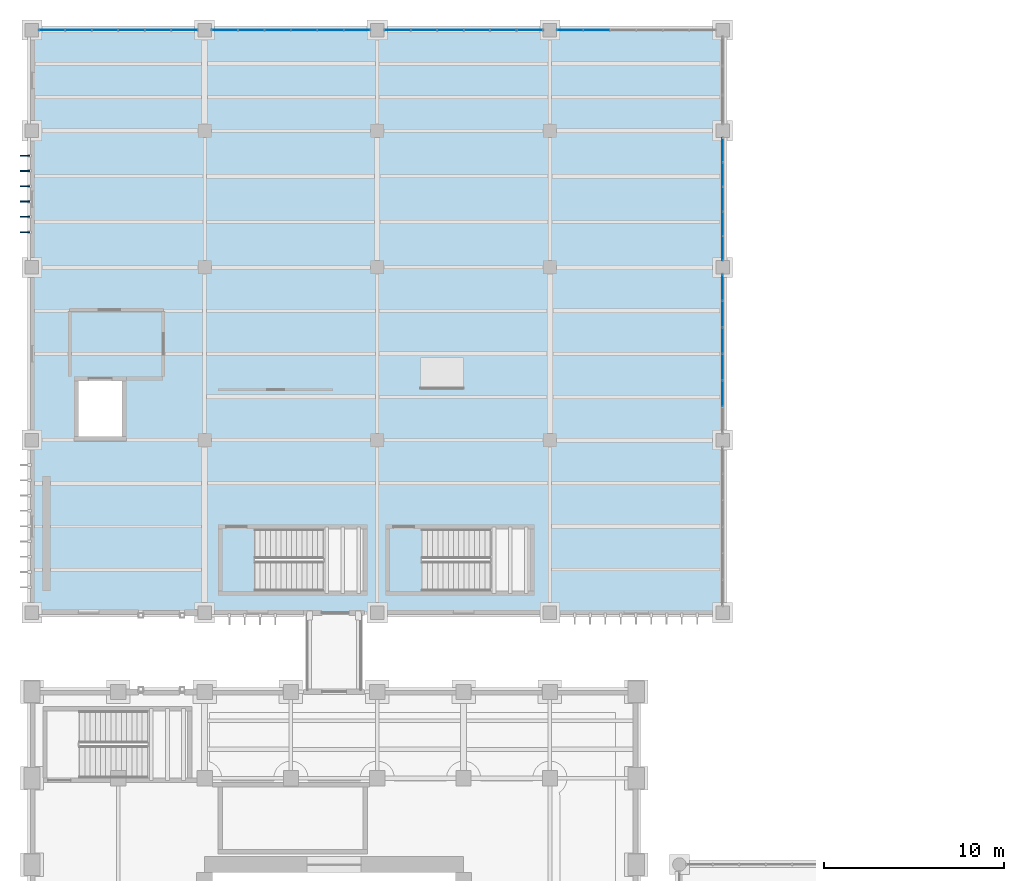
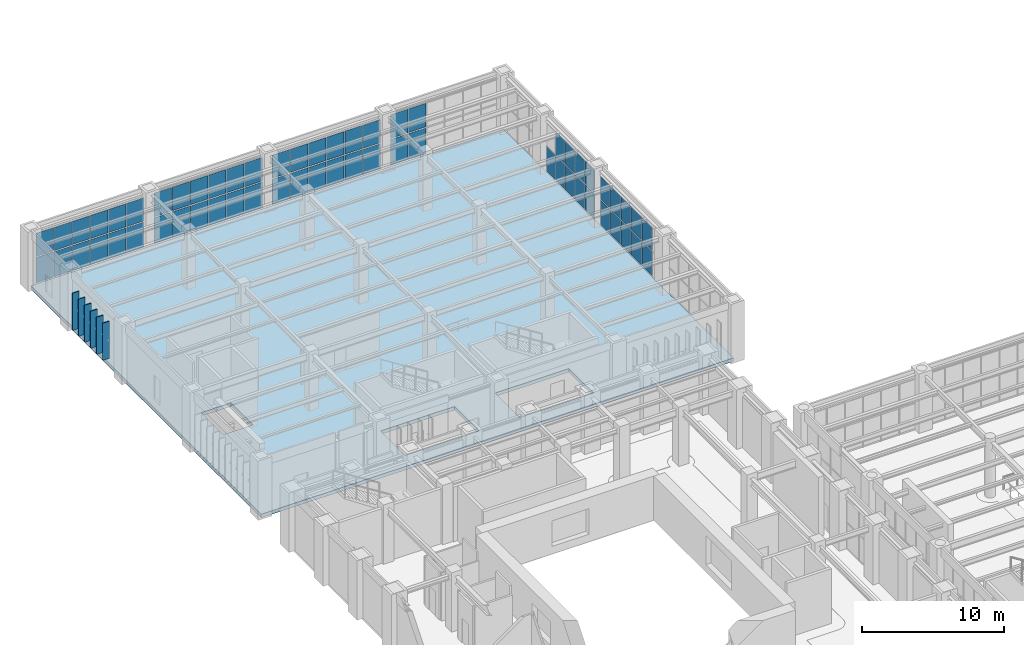
# One storey, part 132 of 174: 65 plates, 1 slab, 6 elements without a shape of their own.
"""IFC4 building model written with IfcOpenShell, lengths in metres."""

from ifc_helpers import new_model, si_unit, direction, frame, origin, origin_2d, place, context, subcontext, project, spatial, polyline, rectangle, outline, extrude, material, layer, layer_set, type_object, element, aggregate, save


model = new_model("IFC4")

# Units and contexts
model_context = context("Model", 3, precision=1e-05, world=origin(), true_north=direction((0.0, 1.0)))
body_context = subcontext(model_context, "Body", "Model", "MODEL_VIEW")
ifc_project = project(units=[si_unit("LENGTHUNIT", "METRE"), si_unit("AREAUNIT", "SQUARE_METRE"), si_unit("VOLUMEUNIT", "CUBIC_METRE"), si_unit("PLANEANGLEUNIT", "RADIAN"), si_unit("MASSUNIT", "GRAM", prefix="KILO")], contexts=[model_context])

# Site, building, storey
site_placement = place(None, origin())
site = spatial("IfcSite", under=ifc_project, at=site_placement, CompositionType="ELEMENT")
building_placement = place(site_placement, origin())
building = spatial("IfcBuilding", under=site, at=building_placement, Name="Mavantir Sound Aquarium", CompositionType="ELEMENT")
storey_placement = place(building_placement, frame((0.0, 0.0, 5.39990234375)))
storey = spatial("IfcBuildingStorey", under=building, at=storey_placement, Name="L01", CompositionType="ELEMENT", Elevation=5.39990234375)

# Curtain wall, plates
ifc_material_1 = material(Name="Anodised Marine Aluminium and Low-E Glass", Category="aluminium")
curtain_wall_type_1 = type_object("IfcCurtainWallType", Name="CW-T19", PredefinedType="USERDEFINED", material=ifc_material_1)
curtain_wall_1_placement = place(storey_placement, origin())
curtain_wall_1 = element("IfcCurtainWall", 1, at=curtain_wall_1_placement, inside=storey, type_object=curtain_wall_type_1, Name="L01 unitised curtain wall CW-19 115", ObjectType="UNITISED GLAZING", PredefinedType="USERDEFINED")
ifc_material_2 = material(Name="Solar-Control Laminated Low-E Glass", Category="glass")
ifc_layer_1 = layer(ifc_material_2, 0.028076171875, Name="Solar-Control Laminated Low-E Glass")
ifc_layer_set_1 = layer_set([ifc_layer_1], Name="Solar-Control Laminated Low-E Glass")
plate_type_1 = type_object("IfcPlateType", Name="CW-PNL-28", PredefinedType="CURTAIN_PANEL", material=ifc_layer_set_1)
plate_1_placement = place(storey_placement, frame((38.39990234375, 103.866455078125, 0.10302734375), z_axis=(0.0, 0.0, 1.0), x_axis=(0.0, 1.0, 0.0)))
plate_1 = element("IfcPlate", 2, at=plate_1_placement, type_object=plate_type_1, Name="CW-L01-115 glazed curtain panel 1.1", PredefinedType="CURTAIN_PANEL", context=body_context, shape_type="SweptSolid", body=[
    extrude(rectangle(XDim=1.31884765625, YDim=0.028076171875, at=origin_2d()), origin(), (0.0, 0.0, 1.0), 2.10009765625),
])
plate_2_placement = place(storey_placement, frame((38.39990234375, 103.866455078125, 2.29931640625), z_axis=(0.0, 0.0, 1.0), x_axis=(0.0, 1.0, 0.0)))
plate_2 = element("IfcPlate", 3, at=plate_2_placement, type_object=plate_type_1, Name="CW-L01-115 glazed curtain panel 1.2", PredefinedType="CURTAIN_PANEL", context=body_context, shape_type="SweptSolid", body=[
    extrude(rectangle(XDim=1.31884765625, YDim=0.028076171875, at=origin_2d()), origin(), (0.0, 0.0, 1.0), 1.927001953125),
])
plate_3_placement = place(storey_placement, frame((38.39990234375, 105.233154296875, 0.10302734375), z_axis=(0.0, 0.0, 1.0), x_axis=(0.0, 1.0, 0.0)))
plate_3 = element("IfcPlate", 4, at=plate_3_placement, type_object=plate_type_1, Name="CW-L01-115 glazed curtain panel 2.1", PredefinedType="CURTAIN_PANEL", context=body_context, shape_type="SweptSolid", body=[
    extrude(rectangle(XDim=1.31884765625, YDim=0.028076171875, at=origin_2d()), origin(), (0.0, 0.0, 1.0), 2.10009765625),
])
plate_4_placement = place(storey_placement, frame((38.39990234375, 105.233154296875, 2.29931640625), z_axis=(0.0, 0.0, 1.0), x_axis=(0.0, 1.0, 0.0)))
plate_4 = element("IfcPlate", 5, at=plate_4_placement, type_object=plate_type_1, Name="CW-L01-115 glazed curtain panel 2.2", PredefinedType="CURTAIN_PANEL", context=body_context, shape_type="SweptSolid", body=[
    extrude(rectangle(XDim=1.31884765625, YDim=0.028076171875, at=origin_2d()), origin(), (0.0, 0.0, 1.0), 1.927001953125),
])
plate_5_placement = place(storey_placement, frame((38.39990234375, 106.60009765625, 0.10302734375), z_axis=(0.0, 0.0, 1.0), x_axis=(0.0, 1.0, 0.0)))
plate_5 = element("IfcPlate", 6, at=plate_5_placement, type_object=plate_type_1, Name="CW-L01-115 glazed curtain panel 3.1", PredefinedType="CURTAIN_PANEL", context=body_context, shape_type="SweptSolid", body=[
    extrude(rectangle(XDim=1.31884765625, YDim=0.028076171875, at=origin_2d()), origin(), (0.0, 0.0, 1.0), 2.10009765625),
])
plate_6_placement = place(storey_placement, frame((38.39990234375, 106.60009765625, 2.29931640625), z_axis=(0.0, 0.0, 1.0), x_axis=(0.0, 1.0, 0.0)))
plate_6 = element("IfcPlate", 7, at=plate_6_placement, type_object=plate_type_1, Name="CW-L01-115 glazed curtain panel 3.2", PredefinedType="CURTAIN_PANEL", context=body_context, shape_type="SweptSolid", body=[
    extrude(rectangle(XDim=1.31884765625, YDim=0.028076171875, at=origin_2d()), origin(), (0.0, 0.0, 1.0), 1.927001953125),
])
plate_7_placement = place(storey_placement, frame((38.39990234375, 107.966796875, 0.10302734375), z_axis=(0.0, 0.0, 1.0), x_axis=(0.0, 1.0, 0.0)))
plate_7 = element("IfcPlate", 8, at=plate_7_placement, type_object=plate_type_1, Name="CW-L01-115 glazed curtain panel 4.1", PredefinedType="CURTAIN_PANEL", context=body_context, shape_type="SweptSolid", body=[
    extrude(rectangle(XDim=1.31884765625, YDim=0.028076171875, at=origin_2d()), origin(), (0.0, 0.0, 1.0), 2.10009765625),
])
plate_8_placement = place(storey_placement, frame((38.39990234375, 107.966796875, 2.29931640625), z_axis=(0.0, 0.0, 1.0), x_axis=(0.0, 1.0, 0.0)))
plate_8 = element("IfcPlate", 9, at=plate_8_placement, type_object=plate_type_1, Name="CW-L01-115 glazed curtain panel 4.2", PredefinedType="CURTAIN_PANEL", context=body_context, shape_type="SweptSolid", body=[
    extrude(rectangle(XDim=1.31884765625, YDim=0.028076171875, at=origin_2d()), origin(), (0.0, 0.0, 1.0), 1.927001953125),
])
plate_9_placement = place(storey_placement, frame((38.39990234375, 109.33349609375, 0.10302734375), z_axis=(0.0, 0.0, 1.0), x_axis=(0.0, 1.0, 0.0)))
plate_9 = element("IfcPlate", 10, at=plate_9_placement, type_object=plate_type_1, Name="CW-L01-115 glazed curtain panel 5.1", PredefinedType="CURTAIN_PANEL", context=body_context, shape_type="SweptSolid", body=[
    extrude(rectangle(XDim=1.31884765625, YDim=0.028076171875, at=origin_2d()), origin(), (0.0, 0.0, 1.0), 2.10009765625),
])
aggregate(curtain_wall_1, [plate_1, plate_2, plate_3, plate_4, plate_5, plate_6, plate_7, plate_8, plate_9])

curtain_wall_type_2 = type_object("IfcCurtainWallType", Name="CW-T21", PredefinedType="USERDEFINED", material=ifc_material_1)
curtain_wall_2_placement = place(storey_placement, origin())
curtain_wall_2 = element("IfcCurtainWall", 11, at=curtain_wall_2_placement, inside=storey, type_object=curtain_wall_type_2, Name="L01 unitised curtain wall CW-21 117", ObjectType="UNITISED GLAZING", PredefinedType="USERDEFINED")
plate_10_placement = place(storey_placement, frame((31.3916015625, 116.0, 0.10302734375), z_axis=(0.0, 0.0, 1.0), x_axis=(-1.0, 0.0, 0.0)))
plate_10 = element("IfcPlate", 12, at=plate_10_placement, type_object=plate_type_1, Name="CW-L01-117 glazed curtain panel 5.1", PredefinedType="CURTAIN_PANEL", context=body_context, shape_type="SweptSolid", body=[
    extrude(rectangle(XDim=1.42431640625, YDim=0.028076171875, at=origin_2d()), origin(), (0.0, 0.0, 1.0), 2.21142578125),
])
plate_11_placement = place(storey_placement, frame((31.3916015625, 116.0, 2.41064453125), z_axis=(0.0, 0.0, 1.0), x_axis=(-1.0, 0.0, 0.0)))
plate_11 = element("IfcPlate", 13, at=plate_11_placement, type_object=plate_type_1, Name="CW-L01-117 glazed curtain panel 5.2", PredefinedType="CURTAIN_PANEL", context=body_context, shape_type="SweptSolid", body=[
    extrude(rectangle(XDim=1.42431640625, YDim=0.028076171875, at=origin_2d()), origin(), (0.0, 0.0, 1.0), 2.029541015625),
])
plate_12_placement = place(storey_placement, frame((29.919189453125, 116.0, 0.10302734375), z_axis=(0.0, 0.0, 1.0), x_axis=(-1.0, 0.0, 0.0)))
plate_12 = element("IfcPlate", 14, at=plate_12_placement, type_object=plate_type_1, Name="CW-L01-117 glazed curtain panel 6.1", PredefinedType="CURTAIN_PANEL", context=body_context, shape_type="SweptSolid", body=[
    extrude(rectangle(XDim=1.42431640625, YDim=0.028076171875, at=origin_2d()), origin(), (0.0, 0.0, 1.0), 2.21142578125),
])
plate_13_placement = place(storey_placement, frame((29.919189453125, 116.0, 2.41064453125), z_axis=(0.0, 0.0, 1.0), x_axis=(-1.0, 0.0, 0.0)))
plate_13 = element("IfcPlate", 15, at=plate_13_placement, type_object=plate_type_1, Name="CW-L01-117 glazed curtain panel 6.2", PredefinedType="CURTAIN_PANEL", context=body_context, shape_type="SweptSolid", body=[
    extrude(rectangle(XDim=1.42431640625, YDim=0.028076171875, at=origin_2d()), origin(), (0.0, 0.0, 1.0), 2.029541015625),
])
aggregate(curtain_wall_2, [plate_10, plate_11, plate_12, plate_13])

curtain_wall_type_3 = type_object("IfcCurtainWallType", Name="CW-T23", PredefinedType="USERDEFINED", material=ifc_material_1)
curtain_wall_3_placement = place(storey_placement, origin())
curtain_wall_3 = element("IfcCurtainWall", 16, at=curtain_wall_3_placement, inside=storey, type_object=curtain_wall_type_3, Name="L01 unitised curtain wall CW-23 119", ObjectType="UNITISED GLAZING", PredefinedType="USERDEFINED")
plate_14_placement = place(storey_placement, frame((18.080810546875, 116.0, 0.10302734375), z_axis=(0.0, 0.0, 1.0), x_axis=(-1.0, 0.0, 0.0)))
plate_14 = element("IfcPlate", 17, at=plate_14_placement, type_object=plate_type_1, Name="CW-L01-119 glazed curtain panel 1.1", PredefinedType="CURTAIN_PANEL", context=body_context, shape_type="SweptSolid", body=[
    extrude(rectangle(XDim=1.42431640625, YDim=0.028076171875, at=origin_2d()), origin(), (0.0, 0.0, 1.0), 2.21142578125),
])
plate_15_placement = place(storey_placement, frame((18.080810546875, 116.0, 2.41064453125), z_axis=(0.0, 0.0, 1.0), x_axis=(-1.0, 0.0, 0.0)))
plate_15 = element("IfcPlate", 18, at=plate_15_placement, type_object=plate_type_1, Name="CW-L01-119 glazed curtain panel 1.2", PredefinedType="CURTAIN_PANEL", context=body_context, shape_type="SweptSolid", body=[
    extrude(rectangle(XDim=1.42431640625, YDim=0.028076171875, at=origin_2d()), origin(), (0.0, 0.0, 1.0), 2.029541015625),
])
plate_16_placement = place(storey_placement, frame((16.6083984375, 116.0, 0.10302734375), z_axis=(0.0, 0.0, 1.0), x_axis=(-1.0, 0.0, 0.0)))
plate_16 = element("IfcPlate", 19, at=plate_16_placement, type_object=plate_type_1, Name="CW-L01-119 glazed curtain panel 2.1", PredefinedType="CURTAIN_PANEL", context=body_context, shape_type="SweptSolid", body=[
    extrude(rectangle(XDim=1.42431640625, YDim=0.028076171875, at=origin_2d()), origin(), (0.0, 0.0, 1.0), 2.21142578125),
])
plate_17_placement = place(storey_placement, frame((16.6083984375, 116.0, 2.41064453125), z_axis=(0.0, 0.0, 1.0), x_axis=(-1.0, 0.0, 0.0)))
plate_17 = element("IfcPlate", 20, at=plate_17_placement, type_object=plate_type_1, Name="CW-L01-119 glazed curtain panel 2.2", PredefinedType="CURTAIN_PANEL", context=body_context, shape_type="SweptSolid", body=[
    extrude(rectangle(XDim=1.42431640625, YDim=0.028076171875, at=origin_2d()), origin(), (0.0, 0.0, 1.0), 2.029541015625),
])
plate_18_placement = place(storey_placement, frame((15.13623046875, 116.0, 0.10302734375), z_axis=(0.0, 0.0, 1.0), x_axis=(-1.0, 0.0, 0.0)))
plate_18 = element("IfcPlate", 21, at=plate_18_placement, type_object=plate_type_1, Name="CW-L01-119 glazed curtain panel 3.1", PredefinedType="CURTAIN_PANEL", context=body_context, shape_type="SweptSolid", body=[
    extrude(rectangle(XDim=1.42431640625, YDim=0.028076171875, at=origin_2d()), origin(), (0.0, 0.0, 1.0), 2.21142578125),
])
plate_19_placement = place(storey_placement, frame((15.13623046875, 116.0, 2.41064453125), z_axis=(0.0, 0.0, 1.0), x_axis=(-1.0, 0.0, 0.0)))
plate_19 = element("IfcPlate", 22, at=plate_19_placement, type_object=plate_type_1, Name="CW-L01-119 glazed curtain panel 3.2", PredefinedType="CURTAIN_PANEL", context=body_context, shape_type="SweptSolid", body=[
    extrude(rectangle(XDim=1.42431640625, YDim=0.028076171875, at=origin_2d()), origin(), (0.0, 0.0, 1.0), 2.029541015625),
])
plate_20_placement = place(storey_placement, frame((13.663818359375, 116.0, 0.10302734375), z_axis=(0.0, 0.0, 1.0), x_axis=(-1.0, 0.0, 0.0)))
plate_20 = element("IfcPlate", 23, at=plate_20_placement, type_object=plate_type_1, Name="CW-L01-119 glazed curtain panel 4.1", PredefinedType="CURTAIN_PANEL", context=body_context, shape_type="SweptSolid", body=[
    extrude(rectangle(XDim=1.42431640625, YDim=0.028076171875, at=origin_2d()), origin(), (0.0, 0.0, 1.0), 2.21142578125),
])
plate_21_placement = place(storey_placement, frame((13.663818359375, 116.0, 2.41064453125), z_axis=(0.0, 0.0, 1.0), x_axis=(-1.0, 0.0, 0.0)))
plate_21 = element("IfcPlate", 24, at=plate_21_placement, type_object=plate_type_1, Name="CW-L01-119 glazed curtain panel 4.2", PredefinedType="CURTAIN_PANEL", context=body_context, shape_type="SweptSolid", body=[
    extrude(rectangle(XDim=1.42431640625, YDim=0.028076171875, at=origin_2d()), origin(), (0.0, 0.0, 1.0), 2.029541015625),
])
plate_22_placement = place(storey_placement, frame((12.19140625, 116.0, 0.10302734375), z_axis=(0.0, 0.0, 1.0), x_axis=(-1.0, 0.0, 0.0)))
plate_22 = element("IfcPlate", 25, at=plate_22_placement, type_object=plate_type_1, Name="CW-L01-119 glazed curtain panel 5.1", PredefinedType="CURTAIN_PANEL", context=body_context, shape_type="SweptSolid", body=[
    extrude(rectangle(XDim=1.42431640625, YDim=0.028076171875, at=origin_2d()), origin(), (0.0, 0.0, 1.0), 2.21142578125),
])
plate_23_placement = place(storey_placement, frame((12.19140625, 116.0, 2.41064453125), z_axis=(0.0, 0.0, 1.0), x_axis=(-1.0, 0.0, 0.0)))
plate_23 = element("IfcPlate", 26, at=plate_23_placement, type_object=plate_type_1, Name="CW-L01-119 glazed curtain panel 5.2", PredefinedType="CURTAIN_PANEL", context=body_context, shape_type="SweptSolid", body=[
    extrude(rectangle(XDim=1.42431640625, YDim=0.028076171875, at=origin_2d()), origin(), (0.0, 0.0, 1.0), 2.029541015625),
])
plate_24_placement = place(storey_placement, frame((10.71923828125, 116.0, 0.10302734375), z_axis=(0.0, 0.0, 1.0), x_axis=(-1.0, 0.0, 0.0)))
plate_24 = element("IfcPlate", 27, at=plate_24_placement, type_object=plate_type_1, Name="CW-L01-119 glazed curtain panel 6.1", PredefinedType="CURTAIN_PANEL", context=body_context, shape_type="SweptSolid", body=[
    extrude(rectangle(XDim=1.42431640625, YDim=0.028076171875, at=origin_2d()), origin(), (0.0, 0.0, 1.0), 2.21142578125),
])
plate_25_placement = place(storey_placement, frame((10.71923828125, 116.0, 2.41064453125), z_axis=(0.0, 0.0, 1.0), x_axis=(-1.0, 0.0, 0.0)))
plate_25 = element("IfcPlate", 28, at=plate_25_placement, type_object=plate_type_1, Name="CW-L01-119 glazed curtain panel 6.2", PredefinedType="CURTAIN_PANEL", context=body_context, shape_type="SweptSolid", body=[
    extrude(rectangle(XDim=1.42431640625, YDim=0.028076171875, at=origin_2d()), origin(), (0.0, 0.0, 1.0), 2.029541015625),
])
aggregate(curtain_wall_3, [plate_14, plate_15, plate_16, plate_17, plate_18, plate_19, plate_20, plate_21, plate_22, plate_23, plate_24, plate_25])

curtain_wall_type_4 = type_object("IfcCurtainWallType", Name="CW-T18", PredefinedType="USERDEFINED", material=ifc_material_1)
curtain_wall_4_placement = place(storey_placement, origin())
curtain_wall_4 = element("IfcCurtainWall", 29, at=curtain_wall_4_placement, inside=storey, type_object=curtain_wall_type_4, Name="L01 unitised curtain wall CW-18 114", ObjectType="UNITISED GLAZING", PredefinedType="USERDEFINED")
ifc_layer_2 = layer(ifc_material_2, 0.031982421875, Name="Solar-Control Laminated Low-E Glass")
ifc_layer_set_2 = layer_set([ifc_layer_2], Name="Solar-Control Laminated Low-E Glass")
plate_type_2 = type_object("IfcPlateType", Name="CW-PNL-32", PredefinedType="CURTAIN_PANEL", material=ifc_layer_set_2)
plate_26_placement = place(storey_placement, frame((38.39990234375, 95.79150390625, 0.10302734375), z_axis=(0.0, 0.0, 1.0), x_axis=(0.0, 1.0, 0.0)))
plate_26 = element("IfcPlate", 30, at=plate_26_placement, type_object=plate_type_2, Name="CW-L01-114 glazed curtain panel 2.1", PredefinedType="CURTAIN_PANEL", context=body_context, shape_type="SweptSolid", body=[
    extrude(rectangle(XDim=1.42431640625, YDim=0.031982421875, at=origin_2d()), origin(), (0.0, 0.0, 1.0), 2.10009765625),
])
plate_27_placement = place(storey_placement, frame((38.39990234375, 95.79150390625, 2.29931640625), z_axis=(0.0, 0.0, 1.0), x_axis=(0.0, 1.0, 0.0)))
plate_27 = element("IfcPlate", 31, at=plate_27_placement, type_object=plate_type_2, Name="CW-L01-114 glazed curtain panel 2.2", PredefinedType="CURTAIN_PANEL", context=body_context, shape_type="SweptSolid", body=[
    extrude(rectangle(XDim=1.42431640625, YDim=0.031982421875, at=origin_2d()), origin(), (0.0, 0.0, 1.0), 1.927001953125),
])
plate_28_placement = place(storey_placement, frame((38.39990234375, 97.263916015625, 0.10302734375), z_axis=(0.0, 0.0, 1.0), x_axis=(0.0, 1.0, 0.0)))
plate_28 = element("IfcPlate", 32, at=plate_28_placement, type_object=plate_type_2, Name="CW-L01-114 glazed curtain panel 3.1", PredefinedType="CURTAIN_PANEL", context=body_context, shape_type="SweptSolid", body=[
    extrude(rectangle(XDim=1.42431640625, YDim=0.031982421875, at=origin_2d()), origin(), (0.0, 0.0, 1.0), 2.10009765625),
])
plate_29_placement = place(storey_placement, frame((38.39990234375, 97.263916015625, 2.29931640625), z_axis=(0.0, 0.0, 1.0), x_axis=(0.0, 1.0, 0.0)))
plate_29 = element("IfcPlate", 33, at=plate_29_placement, type_object=plate_type_2, Name="CW-L01-114 glazed curtain panel 3.2", PredefinedType="CURTAIN_PANEL", context=body_context, shape_type="SweptSolid", body=[
    extrude(rectangle(XDim=1.42431640625, YDim=0.031982421875, at=origin_2d()), origin(), (0.0, 0.0, 1.0), 1.927001953125),
])
plate_30_placement = place(storey_placement, frame((38.39990234375, 98.736083984375, 0.10302734375), z_axis=(0.0, 0.0, 1.0), x_axis=(0.0, 1.0, 0.0)))
plate_30 = element("IfcPlate", 34, at=plate_30_placement, type_object=plate_type_2, Name="CW-L01-114 glazed curtain panel 4.1", PredefinedType="CURTAIN_PANEL", context=body_context, shape_type="SweptSolid", body=[
    extrude(rectangle(XDim=1.42431640625, YDim=0.031982421875, at=origin_2d()), origin(), (0.0, 0.0, 1.0), 2.10009765625),
])
plate_31_placement = place(storey_placement, frame((38.39990234375, 98.736083984375, 2.29931640625), z_axis=(0.0, 0.0, 1.0), x_axis=(0.0, 1.0, 0.0)))
plate_31 = element("IfcPlate", 35, at=plate_31_placement, type_object=plate_type_2, Name="CW-L01-114 glazed curtain panel 4.2", PredefinedType="CURTAIN_PANEL", context=body_context, shape_type="SweptSolid", body=[
    extrude(rectangle(XDim=1.42431640625, YDim=0.031982421875, at=origin_2d()), origin(), (0.0, 0.0, 1.0), 1.927001953125),
])
plate_32_placement = place(storey_placement, frame((38.39990234375, 100.20849609375, 0.10302734375), z_axis=(0.0, 0.0, 1.0), x_axis=(0.0, 1.0, 0.0)))
plate_32 = element("IfcPlate", 36, at=plate_32_placement, type_object=plate_type_2, Name="CW-L01-114 glazed curtain panel 5.1", PredefinedType="CURTAIN_PANEL", context=body_context, shape_type="SweptSolid", body=[
    extrude(rectangle(XDim=1.42431640625, YDim=0.031982421875, at=origin_2d()), origin(), (0.0, 0.0, 1.0), 2.10009765625),
])
plate_33_placement = place(storey_placement, frame((38.39990234375, 100.20849609375, 2.29931640625), z_axis=(0.0, 0.0, 1.0), x_axis=(0.0, 1.0, 0.0)))
plate_33 = element("IfcPlate", 37, at=plate_33_placement, type_object=plate_type_2, Name="CW-L01-114 glazed curtain panel 5.2", PredefinedType="CURTAIN_PANEL", context=body_context, shape_type="SweptSolid", body=[
    extrude(rectangle(XDim=1.42431640625, YDim=0.031982421875, at=origin_2d()), origin(), (0.0, 0.0, 1.0), 1.927001953125),
])
plate_34_placement = place(storey_placement, frame((38.39990234375, 101.680908203125, 0.10302734375), z_axis=(0.0, 0.0, 1.0), x_axis=(0.0, 1.0, 0.0)))
plate_34 = element("IfcPlate", 38, at=plate_34_placement, type_object=plate_type_2, Name="CW-L01-114 glazed curtain panel 6.1", PredefinedType="CURTAIN_PANEL", context=body_context, shape_type="SweptSolid", body=[
    extrude(rectangle(XDim=1.42431640625, YDim=0.031982421875, at=origin_2d()), origin(), (0.0, 0.0, 1.0), 2.10009765625),
])
plate_35_placement = place(storey_placement, frame((38.39990234375, 101.680908203125, 2.29931640625), z_axis=(0.0, 0.0, 1.0), x_axis=(0.0, 1.0, 0.0)))
plate_35 = element("IfcPlate", 39, at=plate_35_placement, type_object=plate_type_2, Name="CW-L01-114 glazed curtain panel 6.2", PredefinedType="CURTAIN_PANEL", context=body_context, shape_type="SweptSolid", body=[
    extrude(rectangle(XDim=1.42431640625, YDim=0.031982421875, at=origin_2d()), origin(), (0.0, 0.0, 1.0), 1.927001953125),
])
aggregate(curtain_wall_4, [plate_26, plate_27, plate_28, plate_29, plate_30, plate_31, plate_32, plate_33, plate_34, plate_35])

curtain_wall_type_5 = type_object("IfcCurtainWallType", Name="CW-T22", PredefinedType="USERDEFINED", material=ifc_material_1)
curtain_wall_5_placement = place(storey_placement, origin())
curtain_wall_5 = element("IfcCurtainWall", 40, at=curtain_wall_5_placement, inside=storey, type_object=curtain_wall_type_5, Name="L01 unitised curtain wall CW-22 118", ObjectType="UNITISED GLAZING", PredefinedType="USERDEFINED")
plate_36_placement = place(storey_placement, frame((27.680908203125, 116.0, 0.10302734375), z_axis=(0.0, 0.0, 1.0), x_axis=(-1.0, 0.0, 0.0)))
plate_36 = element("IfcPlate", 41, at=plate_36_placement, type_object=plate_type_2, Name="CW-L01-118 glazed curtain panel 1.1", PredefinedType="CURTAIN_PANEL", context=body_context, shape_type="SweptSolid", body=[
    extrude(rectangle(XDim=1.42431640625, YDim=0.031982421875, at=origin_2d()), origin(), (0.0, 0.0, 1.0), 2.15673828125),
])
plate_37_placement = place(storey_placement, frame((27.680908203125, 116.0, 2.35595703125), z_axis=(0.0, 0.0, 1.0), x_axis=(-1.0, 0.0, 0.0)))
plate_37 = element("IfcPlate", 42, at=plate_37_placement, type_object=plate_type_2, Name="CW-L01-118 glazed curtain panel 1.2", PredefinedType="CURTAIN_PANEL", context=body_context, shape_type="SweptSolid", body=[
    extrude(rectangle(XDim=1.42431640625, YDim=0.031982421875, at=origin_2d()), origin(), (0.0, 0.0, 1.0), 1.979248046875),
])
plate_38_placement = place(storey_placement, frame((26.20849609375, 116.0, 0.10302734375), z_axis=(0.0, 0.0, 1.0), x_axis=(-1.0, 0.0, 0.0)))
plate_38 = element("IfcPlate", 43, at=plate_38_placement, type_object=plate_type_2, Name="CW-L01-118 glazed curtain panel 2.1", PredefinedType="CURTAIN_PANEL", context=body_context, shape_type="SweptSolid", body=[
    extrude(rectangle(XDim=1.42431640625, YDim=0.031982421875, at=origin_2d()), origin(), (0.0, 0.0, 1.0), 2.15673828125),
])
plate_39_placement = place(storey_placement, frame((26.20849609375, 116.0, 2.35595703125), z_axis=(0.0, 0.0, 1.0), x_axis=(-1.0, 0.0, 0.0)))
plate_39 = element("IfcPlate", 44, at=plate_39_placement, type_object=plate_type_2, Name="CW-L01-118 glazed curtain panel 2.2", PredefinedType="CURTAIN_PANEL", context=body_context, shape_type="SweptSolid", body=[
    extrude(rectangle(XDim=1.42431640625, YDim=0.031982421875, at=origin_2d()), origin(), (0.0, 0.0, 1.0), 1.979248046875),
])
plate_40_placement = place(storey_placement, frame((24.736083984375, 116.0, 0.10302734375), z_axis=(0.0, 0.0, 1.0), x_axis=(-1.0, 0.0, 0.0)))
plate_40 = element("IfcPlate", 45, at=plate_40_placement, type_object=plate_type_2, Name="CW-L01-118 glazed curtain panel 3.1", PredefinedType="CURTAIN_PANEL", context=body_context, shape_type="SweptSolid", body=[
    extrude(rectangle(XDim=1.42431640625, YDim=0.031982421875, at=origin_2d()), origin(), (0.0, 0.0, 1.0), 2.15673828125),
])
plate_41_placement = place(storey_placement, frame((24.736083984375, 116.0, 2.35595703125), z_axis=(0.0, 0.0, 1.0), x_axis=(-1.0, 0.0, 0.0)))
plate_41 = element("IfcPlate", 46, at=plate_41_placement, type_object=plate_type_2, Name="CW-L01-118 glazed curtain panel 3.2", PredefinedType="CURTAIN_PANEL", context=body_context, shape_type="SweptSolid", body=[
    extrude(rectangle(XDim=1.42431640625, YDim=0.031982421875, at=origin_2d()), origin(), (0.0, 0.0, 1.0), 1.979248046875),
])
plate_42_placement = place(storey_placement, frame((23.263916015625, 116.0, 0.10302734375), z_axis=(0.0, 0.0, 1.0), x_axis=(-1.0, 0.0, 0.0)))
plate_42 = element("IfcPlate", 47, at=plate_42_placement, type_object=plate_type_2, Name="CW-L01-118 glazed curtain panel 4.1", PredefinedType="CURTAIN_PANEL", context=body_context, shape_type="SweptSolid", body=[
    extrude(rectangle(XDim=1.42431640625, YDim=0.031982421875, at=origin_2d()), origin(), (0.0, 0.0, 1.0), 2.15673828125),
])
plate_43_placement = place(storey_placement, frame((23.263916015625, 116.0, 2.35595703125), z_axis=(0.0, 0.0, 1.0), x_axis=(-1.0, 0.0, 0.0)))
plate_43 = element("IfcPlate", 48, at=plate_43_placement, type_object=plate_type_2, Name="CW-L01-118 glazed curtain panel 4.2", PredefinedType="CURTAIN_PANEL", context=body_context, shape_type="SweptSolid", body=[
    extrude(rectangle(XDim=1.42431640625, YDim=0.031982421875, at=origin_2d()), origin(), (0.0, 0.0, 1.0), 1.979248046875),
])
plate_44_placement = place(storey_placement, frame((21.79150390625, 116.0, 0.10302734375), z_axis=(0.0, 0.0, 1.0), x_axis=(-1.0, 0.0, 0.0)))
plate_44 = element("IfcPlate", 49, at=plate_44_placement, type_object=plate_type_2, Name="CW-L01-118 glazed curtain panel 5.1", PredefinedType="CURTAIN_PANEL", context=body_context, shape_type="SweptSolid", body=[
    extrude(rectangle(XDim=1.42431640625, YDim=0.031982421875, at=origin_2d()), origin(), (0.0, 0.0, 1.0), 2.15673828125),
])
plate_45_placement = place(storey_placement, frame((21.79150390625, 116.0, 2.35595703125), z_axis=(0.0, 0.0, 1.0), x_axis=(-1.0, 0.0, 0.0)))
plate_45 = element("IfcPlate", 50, at=plate_45_placement, type_object=plate_type_2, Name="CW-L01-118 glazed curtain panel 5.2", PredefinedType="CURTAIN_PANEL", context=body_context, shape_type="SweptSolid", body=[
    extrude(rectangle(XDim=1.42431640625, YDim=0.031982421875, at=origin_2d()), origin(), (0.0, 0.0, 1.0), 1.979248046875),
])
plate_46_placement = place(storey_placement, frame((20.319091796875, 116.0, 0.10302734375), z_axis=(0.0, 0.0, 1.0), x_axis=(-1.0, 0.0, 0.0)))
plate_46 = element("IfcPlate", 51, at=plate_46_placement, type_object=plate_type_2, Name="CW-L01-118 glazed curtain panel 6.1", PredefinedType="CURTAIN_PANEL", context=body_context, shape_type="SweptSolid", body=[
    extrude(rectangle(XDim=1.42431640625, YDim=0.031982421875, at=origin_2d()), origin(), (0.0, 0.0, 1.0), 2.15673828125),
])
plate_47_placement = place(storey_placement, frame((20.319091796875, 116.0, 2.35595703125), z_axis=(0.0, 0.0, 1.0), x_axis=(-1.0, 0.0, 0.0)))
plate_47 = element("IfcPlate", 52, at=plate_47_placement, type_object=plate_type_2, Name="CW-L01-118 glazed curtain panel 6.2", PredefinedType="CURTAIN_PANEL", context=body_context, shape_type="SweptSolid", body=[
    extrude(rectangle(XDim=1.42431640625, YDim=0.031982421875, at=origin_2d()), origin(), (0.0, 0.0, 1.0), 1.979248046875),
])
aggregate(curtain_wall_5, [plate_36, plate_37, plate_38, plate_39, plate_40, plate_41, plate_42, plate_43, plate_44, plate_45, plate_46, plate_47])

curtain_wall_type_6 = type_object("IfcCurtainWallType", Name="CW-T24", PredefinedType="USERDEFINED", material=ifc_material_1)
curtain_wall_6_placement = place(storey_placement, origin())
curtain_wall_6 = element("IfcCurtainWall", 53, at=curtain_wall_6_placement, inside=storey, type_object=curtain_wall_type_6, Name="L01 unitised curtain wall CW-24 120", ObjectType="UNITISED GLAZING", PredefinedType="USERDEFINED")
plate_48_placement = place(storey_placement, frame((8.480712890625, 116.0, 0.10302734375), z_axis=(0.0, 0.0, 1.0), x_axis=(-1.0, 0.0, 0.0)))
plate_48 = element("IfcPlate", 54, at=plate_48_placement, type_object=plate_type_2, Name="CW-L01-120 glazed curtain panel 1.1", PredefinedType="CURTAIN_PANEL", context=body_context, shape_type="SweptSolid", body=[
    extrude(rectangle(XDim=1.42431640625, YDim=0.031982421875, at=origin_2d()), origin(), (0.0, 0.0, 1.0), 2.15673828125),
])
plate_49_placement = place(storey_placement, frame((8.480712890625, 116.0, 2.35595703125), z_axis=(0.0, 0.0, 1.0), x_axis=(-1.0, 0.0, 0.0)))
plate_49 = element("IfcPlate", 55, at=plate_49_placement, type_object=plate_type_2, Name="CW-L01-120 glazed curtain panel 1.2", PredefinedType="CURTAIN_PANEL", context=body_context, shape_type="SweptSolid", body=[
    extrude(rectangle(XDim=1.42431640625, YDim=0.031982421875, at=origin_2d()), origin(), (0.0, 0.0, 1.0), 1.979248046875),
])
plate_50_placement = place(storey_placement, frame((7.008544921875, 116.0, 0.10302734375), z_axis=(0.0, 0.0, 1.0), x_axis=(-1.0, 0.0, 0.0)))
plate_50 = element("IfcPlate", 56, at=plate_50_placement, type_object=plate_type_2, Name="CW-L01-120 glazed curtain panel 2.1", PredefinedType="CURTAIN_PANEL", context=body_context, shape_type="SweptSolid", body=[
    extrude(rectangle(XDim=1.42431640625, YDim=0.031982421875, at=origin_2d()), origin(), (0.0, 0.0, 1.0), 2.15673828125),
])
plate_51_placement = place(storey_placement, frame((7.008544921875, 116.0, 2.35595703125), z_axis=(0.0, 0.0, 1.0), x_axis=(-1.0, 0.0, 0.0)))
plate_51 = element("IfcPlate", 57, at=plate_51_placement, type_object=plate_type_2, Name="CW-L01-120 glazed curtain panel 2.2", PredefinedType="CURTAIN_PANEL", context=body_context, shape_type="SweptSolid", body=[
    extrude(rectangle(XDim=1.42431640625, YDim=0.031982421875, at=origin_2d()), origin(), (0.0, 0.0, 1.0), 1.979248046875),
])
plate_52_placement = place(storey_placement, frame((5.5361328125, 116.0, 0.10302734375), z_axis=(0.0, 0.0, 1.0), x_axis=(-1.0, 0.0, 0.0)))
plate_52 = element("IfcPlate", 58, at=plate_52_placement, type_object=plate_type_2, Name="CW-L01-120 glazed curtain panel 3.1", PredefinedType="CURTAIN_PANEL", context=body_context, shape_type="SweptSolid", body=[
    extrude(rectangle(XDim=1.42431640625, YDim=0.031982421875, at=origin_2d()), origin(), (0.0, 0.0, 1.0), 2.15673828125),
])
plate_53_placement = place(storey_placement, frame((5.5361328125, 116.0, 2.35595703125), z_axis=(0.0, 0.0, 1.0), x_axis=(-1.0, 0.0, 0.0)))
plate_53 = element("IfcPlate", 59, at=plate_53_placement, type_object=plate_type_2, Name="CW-L01-120 glazed curtain panel 3.2", PredefinedType="CURTAIN_PANEL", context=body_context, shape_type="SweptSolid", body=[
    extrude(rectangle(XDim=1.42431640625, YDim=0.031982421875, at=origin_2d()), origin(), (0.0, 0.0, 1.0), 1.979248046875),
])
plate_54_placement = place(storey_placement, frame((4.063720703125, 116.0, 0.10302734375), z_axis=(0.0, 0.0, 1.0), x_axis=(-1.0, 0.0, 0.0)))
plate_54 = element("IfcPlate", 60, at=plate_54_placement, type_object=plate_type_2, Name="CW-L01-120 glazed curtain panel 4.1", PredefinedType="CURTAIN_PANEL", context=body_context, shape_type="SweptSolid", body=[
    extrude(rectangle(XDim=1.42431640625, YDim=0.031982421875, at=origin_2d()), origin(), (0.0, 0.0, 1.0), 2.15673828125),
])
plate_55_placement = place(storey_placement, frame((4.063720703125, 116.0, 2.35595703125), z_axis=(0.0, 0.0, 1.0), x_axis=(-1.0, 0.0, 0.0)))
plate_55 = element("IfcPlate", 61, at=plate_55_placement, type_object=plate_type_2, Name="CW-L01-120 glazed curtain panel 4.2", PredefinedType="CURTAIN_PANEL", context=body_context, shape_type="SweptSolid", body=[
    extrude(rectangle(XDim=1.42431640625, YDim=0.031982421875, at=origin_2d()), origin(), (0.0, 0.0, 1.0), 1.979248046875),
])
plate_56_placement = place(storey_placement, frame((2.591552734375, 116.0, 0.10302734375), z_axis=(0.0, 0.0, 1.0), x_axis=(-1.0, 0.0, 0.0)))
plate_56 = element("IfcPlate", 62, at=plate_56_placement, type_object=plate_type_2, Name="CW-L01-120 glazed curtain panel 5.1", PredefinedType="CURTAIN_PANEL", context=body_context, shape_type="SweptSolid", body=[
    extrude(rectangle(XDim=1.42431640625, YDim=0.031982421875, at=origin_2d()), origin(), (0.0, 0.0, 1.0), 2.15673828125),
])
plate_57_placement = place(storey_placement, frame((2.591552734375, 116.0, 2.35595703125), z_axis=(0.0, 0.0, 1.0), x_axis=(-1.0, 0.0, 0.0)))
plate_57 = element("IfcPlate", 63, at=plate_57_placement, type_object=plate_type_2, Name="CW-L01-120 glazed curtain panel 5.2", PredefinedType="CURTAIN_PANEL", context=body_context, shape_type="SweptSolid", body=[
    extrude(rectangle(XDim=1.42431640625, YDim=0.031982421875, at=origin_2d()), origin(), (0.0, 0.0, 1.0), 1.979248046875),
])
plate_58_placement = place(storey_placement, frame((1.119140625, 116.0, 0.10302734375), z_axis=(0.0, 0.0, 1.0), x_axis=(-1.0, 0.0, 0.0)))
plate_58 = element("IfcPlate", 64, at=plate_58_placement, type_object=plate_type_2, Name="CW-L01-120 glazed curtain panel 6.1", PredefinedType="CURTAIN_PANEL", context=body_context, shape_type="SweptSolid", body=[
    extrude(rectangle(XDim=1.42431640625, YDim=0.031982421875, at=origin_2d()), origin(), (0.0, 0.0, 1.0), 2.15673828125),
])
plate_59_placement = place(storey_placement, frame((1.119140625, 116.0, 2.35595703125), z_axis=(0.0, 0.0, 1.0), x_axis=(-1.0, 0.0, 0.0)))
plate_59 = element("IfcPlate", 65, at=plate_59_placement, type_object=plate_type_2, Name="CW-L01-120 glazed curtain panel 6.2", PredefinedType="CURTAIN_PANEL", context=body_context, shape_type="SweptSolid", body=[
    extrude(rectangle(XDim=1.42431640625, YDim=0.031982421875, at=origin_2d()), origin(), (0.0, 0.0, 1.0), 1.979248046875),
])
aggregate(curtain_wall_6, [plate_48, plate_49, plate_50, plate_51, plate_52, plate_53, plate_54, plate_55, plate_56, plate_57, plate_58, plate_59])

# Plates
ifc_material_3 = material(Name="Coral-Limestone Composite Brise-Soleil Blade", Category="masonry")
ifc_layer_3 = layer(ifc_material_3, 0.06494140625, Name="Coral-Limestone Composite Brise-Soleil Blade")
ifc_layer_set_3 = layer_set([ifc_layer_3], Name="Coral-Limestone Composite Brise-Soleil Blade")
plate_type_3 = type_object("IfcPlateType", Name="PLT-FIN-520", PredefinedType="SHEET", material=ifc_layer_set_3)
for number, where, z_axis, x_axis, name in (
    (66, (-0.39501953125, 109.01708984375, 0.6279296875), (0.0, 0.0, 1.0), (0.0, 1.0, 0.0), "Tropical coral-stone brise-soleil blade 1"),
    (67, (-0.39501953125, 108.1669921875, 0.6279296875), (0.0, 0.0, 1.0), (0.0, 1.0, 0.0), "Tropical coral-stone brise-soleil blade 2"),
    (68, (-0.39501953125, 107.31689453125, 0.6279296875), (0.0, 0.0, 1.0), (0.0, 1.0, 0.0), "Tropical coral-stone brise-soleil blade 3"),
    (69, (-0.39501953125, 106.467041015625, 0.6279296875), (0.0, 0.0, 1.0), (0.0, 1.0, 0.0), "Tropical coral-stone brise-soleil blade 4"),
    (70, (-0.39501953125, 105.616943359375, 0.6279296875), (0.0, 0.0, 1.0), (0.0, 1.0, 0.0), "Tropical coral-stone brise-soleil blade 5"),
    (71, (-0.39501953125, 104.76708984375, 0.6279296875), (0.0, 0.0, 1.0), (0.0, 1.0, 0.0), "Tropical coral-stone brise-soleil blade 6"),
):
    element("IfcPlate", number, at=place(storey_placement, frame(where, z_axis=z_axis, x_axis=x_axis)), inside=storey, type_object=plate_type_3, Name=name, PredefinedType="SHEET", context=body_context, shape_type="SweptSolid", body=[
        extrude(rectangle(XDim=0.06494140625, YDim=0.5400390625, at=origin_2d()), origin(), (0.0, 0.0, 1.0), 3.199951171875),
    ])

# Slab
ifc_material_4 = material(Name="Concrete C40/50", Category="concrete")
ifc_layer_4 = layer(ifc_material_4, 0.300048828125, Name="Concrete C40/50")
ifc_layer_set_4 = layer_set([ifc_layer_4], Name="Concrete C40/50")
slab_type = type_object("IfcSlabType", Name="SLB-FS-03", PredefinedType="FLOOR", material=ifc_layer_set_4)
slab_placement = place(storey_placement, frame((0.0, 0.0, -0.2998046875)))
element("IfcSlab", 72, at=slab_placement, inside=storey, type_object=slab_type, Name="L01 structural slab FS-03 (V5)", PredefinedType="FLOOR", context=body_context, shape_type="SweptSolid", body=[
    extrude(outline(polyline([(38.39990234375, 83.60009765625), (38.39990234375, 116.0), (0.0, 116.0), (0.0, 83.60009765625), (38.39990234375, 83.60009765625)]), holes=[polyline([(12.39990234375, 84.800048828125), (18.39990234375, 84.800048828125), (18.39990234375, 88.25), (12.39990234375, 88.25), (12.39990234375, 84.800048828125)]), polyline([(21.699951171875, 84.800048828125), (27.699951171875, 84.800048828125), (27.699951171875, 88.25), (21.699951171875, 88.25), (21.699951171875, 84.800048828125)]), polyline([(2.60009765625, 93.39990234375), (5.0, 93.39990234375), (5.0, 96.5), (2.60009765625, 96.5), (2.60009765625, 93.39990234375)])]), origin(), (0.0, 0.0, 1.0), 0.2998046875),
])

save(model, "model.ifc")
